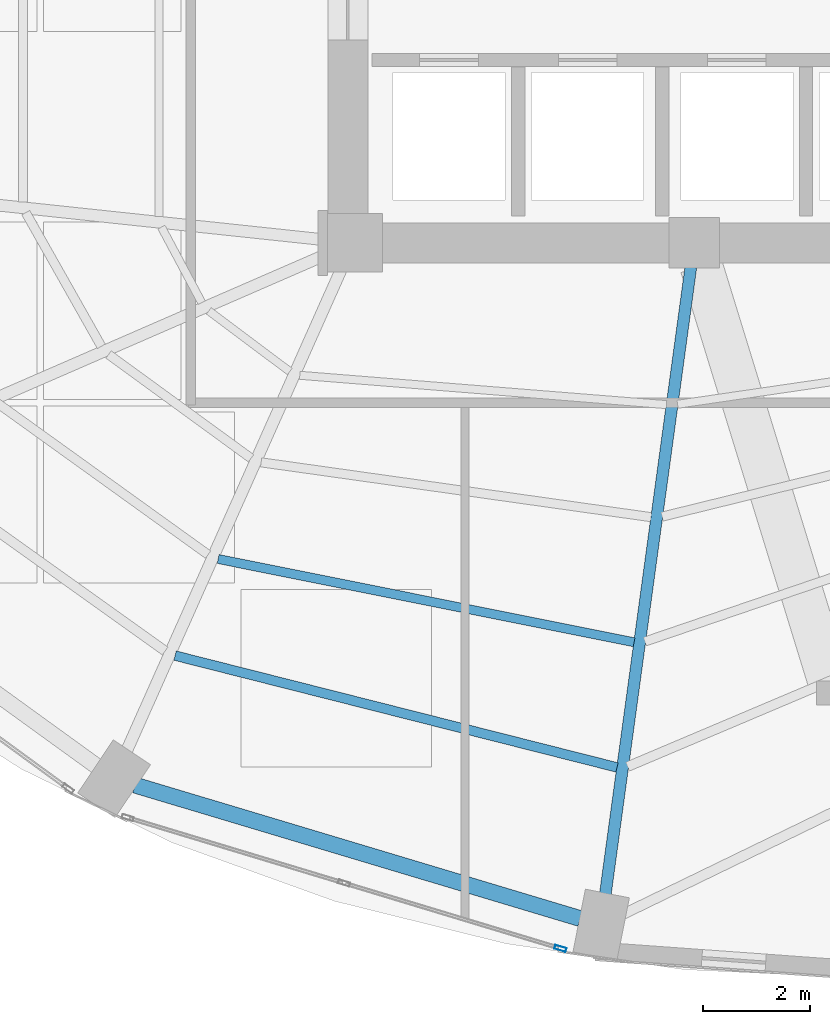
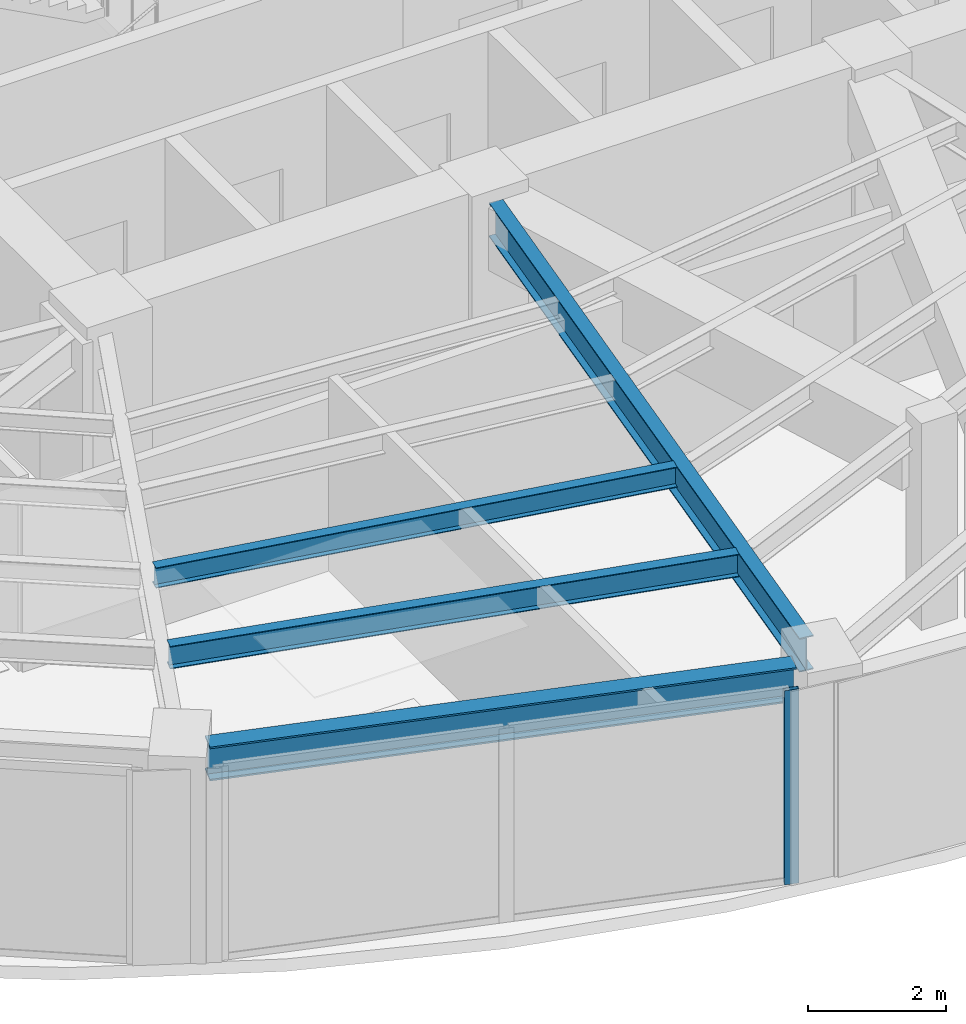
# One storey, part 5 of 23: 4 beams, 1 member, 1 element without a shape of its own.
"""IFC4 building model written with IfcOpenShell, lengths in metres."""

from ifc_helpers import new_model, si_unit, direction, frame, origin, origin_2d, place, context, subcontext, project, spatial, hollow_rectangle, i_section, extrude, material, layer, layer_set, material_profile, profile_set, type_object, element, aggregate, save


model = new_model("IFC4")

# Units and contexts
model_context = context("Model", 3, precision=1e-05, world=origin(), true_north=direction((0.0, 1.0)))
body_context = subcontext(model_context, "Body", "Model", "MODEL_VIEW")
ifc_project = project(units=[si_unit("LENGTHUNIT", "METRE"), si_unit("AREAUNIT", "SQUARE_METRE"), si_unit("VOLUMEUNIT", "CUBIC_METRE"), si_unit("PLANEANGLEUNIT", "RADIAN"), si_unit("MASSUNIT", "GRAM", prefix="KILO")], contexts=[model_context])

# Site, building, storey
site_placement = place(None, origin())
site = spatial("IfcSite", under=ifc_project, at=site_placement, CompositionType="ELEMENT")
building_placement = place(site_placement, origin())
building = spatial("IfcBuilding", under=site, at=building_placement, Name="Lazwardi Medical Tower", CompositionType="ELEMENT")
storey_placement = place(building_placement, frame((0.0, 0.0, 125.52001953125)))
storey = spatial("IfcBuildingStorey", under=building, at=storey_placement, Name="L32", CompositionType="ELEMENT", Elevation=125.52001953125)

# Beams
ifc_material_1 = material(Name="Steel S355", Category="steel")
ifc_material_profile_1 = material_profile(ifc_material_1, i_section(OverallWidth=0.300048828125, OverallDepth=0.60009765625, WebThickness=0.015380859375, FlangeThickness=0.030029296875, at=origin_2d()), Name="HEB 600")
ifc_profile_set_1 = profile_set([ifc_material_profile_1], Name="Steel S355")
beam_type_1 = type_object("IfcBeamType", Name="BM-RB-Z2", PredefinedType="BEAM", material=ifc_profile_set_1)
beam_1_placement = place(storey_placement, frame((22.30908203125, 10.224609375, 3.1279296875), z_axis=(0.957879438442, -0.287170648587, 0.0), x_axis=(0.287170648587, 0.957879438442, 0.0)))
element("IfcBeam", 1, at=beam_1_placement, inside=storey, type_object=beam_type_1, Name="Ring beam RB-03 B15 L32", PredefinedType="BEAM", context=body_context, shape_type="SweptSolid", body=[
    extrude(i_section(OverallWidth=0.300048828125, OverallDepth=0.60009765625, WebThickness=0.015380859375, FlangeThickness=0.030029296875, at=origin_2d()), origin(), (0.0, 0.0, 1.0), 8.719970703125),
])
ifc_material_profile_2 = material_profile(ifc_material_1, i_section(OverallWidth=0.219970703125, OverallDepth=0.60009765625, WebThickness=0.011962890625, FlangeThickness=0.01904296875, at=origin_2d()), Name="IPE 600")
ifc_profile_set_2 = profile_set([ifc_material_profile_2], Name="Steel S355")
beam_type_2 = type_object("IfcBeamType", Name="BM-RG-W1", PredefinedType="BEAM", material=ifc_profile_set_2)
beam_2_placement = place(storey_placement, frame((31.1328125, 8.17724609375, 3.1279296875), z_axis=(0.135147148002, 0.990825538825, 0.0), x_axis=(-0.990825538825, 0.135147148002, 0.0)))
element("IfcBeam", 2, at=beam_2_placement, inside=storey, type_object=beam_type_2, Name="Radial girder RG-02 R16 L32", PredefinedType="BEAM", context=body_context, shape_type="SweptSolid", body=[
    extrude(i_section(OverallWidth=0.219970703125, OverallDepth=0.60009765625, WebThickness=0.011962890625, FlangeThickness=0.01904296875, at=origin_2d()), origin(), (0.0, 0.0, 1.0), 11.875732421875),
])
ifc_material_profile_3 = material_profile(ifc_material_1, i_section(OverallWidth=0.179931640625, OverallDepth=0.39990234375, WebThickness=0.008544921875, FlangeThickness=0.013427734375, at=origin_2d()), Name="IPE 400")
ifc_profile_set_3 = profile_set([ifc_material_profile_3], Name="Steel S355")
beam_type_3 = type_object("IfcBeamType", Name="BM-SJ-01", PredefinedType="JOIST", material=ifc_profile_set_3)
beam_3_placement = place(storey_placement, frame((23.060302734375, 12.654296875, 3.22802734375), z_axis=(0.96945186753, -0.245281626997, 0.0), x_axis=(0.245281626997, 0.96945186753, 0.0)))
element("IfcBeam", 3, at=beam_3_placement, inside=storey, type_object=beam_type_3, Name="Secondary joist SJ-01 R1 B15 L32", PredefinedType="JOIST", context=body_context, shape_type="SweptSolid", body=[
    extrude(i_section(OverallWidth=0.179931640625, OverallDepth=0.39990234375, WebThickness=0.008544921875, FlangeThickness=0.013427734375, at=origin_2d()), origin(), (0.0, 0.0, 1.0), 8.552978515625),
])
ifc_material_profile_4 = material_profile(ifc_material_1, i_section(OverallWidth=0.169921875, OverallDepth=0.360107421875, WebThickness=0.008056640625, FlangeThickness=0.0126953125, at=origin_2d()), Name="IPE 360")
ifc_profile_set_4 = profile_set([ifc_material_profile_4], Name="Steel S355")
beam_type_4 = type_object("IfcBeamType", Name="BM-SJ-02", PredefinedType="JOIST", material=ifc_profile_set_4)
beam_4_placement = place(storey_placement, frame((23.8671875, 14.46728515625, 3.248046875), z_axis=(0.980542906584, -0.196304886203, 0.0), x_axis=(0.196304886203, 0.980542906584, 0.0)))
element("IfcBeam", 4, at=beam_4_placement, inside=storey, type_object=beam_type_4, Name="Secondary joist SJ-02 R2 B15 L32", PredefinedType="JOIST", context=body_context, shape_type="SweptSolid", body=[
    extrude(i_section(OverallWidth=0.169921875, OverallDepth=0.360107421875, WebThickness=0.008056640625, FlangeThickness=0.0126953125, at=origin_2d()), origin(), (0.0, 0.0, 1.0), 7.95947265625),
])

# Curtain wall, member
ifc_material_2 = material(Name="Anodised bronze aluminium and solar control glazing", Category="aluminium")
ifc_layer = layer(ifc_material_2, 0.195068359375)
ifc_layer_set = layer_set([ifc_layer], Name="Anodised bronze aluminium and solar control glazing")
curtain_wall_type = type_object("IfcCurtainWallType", Name="CW-SYS-03", PredefinedType="NOTDEFINED", material=ifc_layer_set)
curtain_wall_placement = place(storey_placement, origin())
curtain_wall = element("IfcCurtainWall", 5, at=curtain_wall_placement, inside=storey, type_object=curtain_wall_type, Name="L32 Unitised bronze curtain wall CW-03", PredefinedType="NOTDEFINED")
ifc_material_3 = material(Name="Anodised bronze aluminium", Category="aluminium")
ifc_material_profile_5 = material_profile(ifc_material_3, hollow_rectangle(XDim=0.074951171875, YDim=0.219970703125, WallThickness=0.00390625, at=origin_2d()), Name="ALU-MULLION 220x75x4")
ifc_profile_set_5 = profile_set([ifc_material_profile_5], Name="Anodised bronze aluminium")
member_type = type_object("IfcMemberType", Name="CW-MUL-01", PredefinedType="MULLION", material=ifc_profile_set_5)
member_placement = place(storey_placement, frame((30.289794921875, 7.159912109375, 0.0), z_axis=(0.0, 0.0, 1.0), x_axis=(0.28937381157, 0.957216170558, 0.0)))
member = element("IfcMember", 6, at=member_placement, type_object=member_type, Name="CW-03 mullion 3", PredefinedType="MULLION", context=body_context, shape_type="SweptSolid", body=[
    extrude(hollow_rectangle(XDim=0.074951171875, YDim=0.219970703125, WallThickness=0.00390625, at=origin_2d()), origin(), (0.0, 0.0, 1.0), 3.427978515625),
])
aggregate(curtain_wall, [member])

save(model, "model.ifc")
